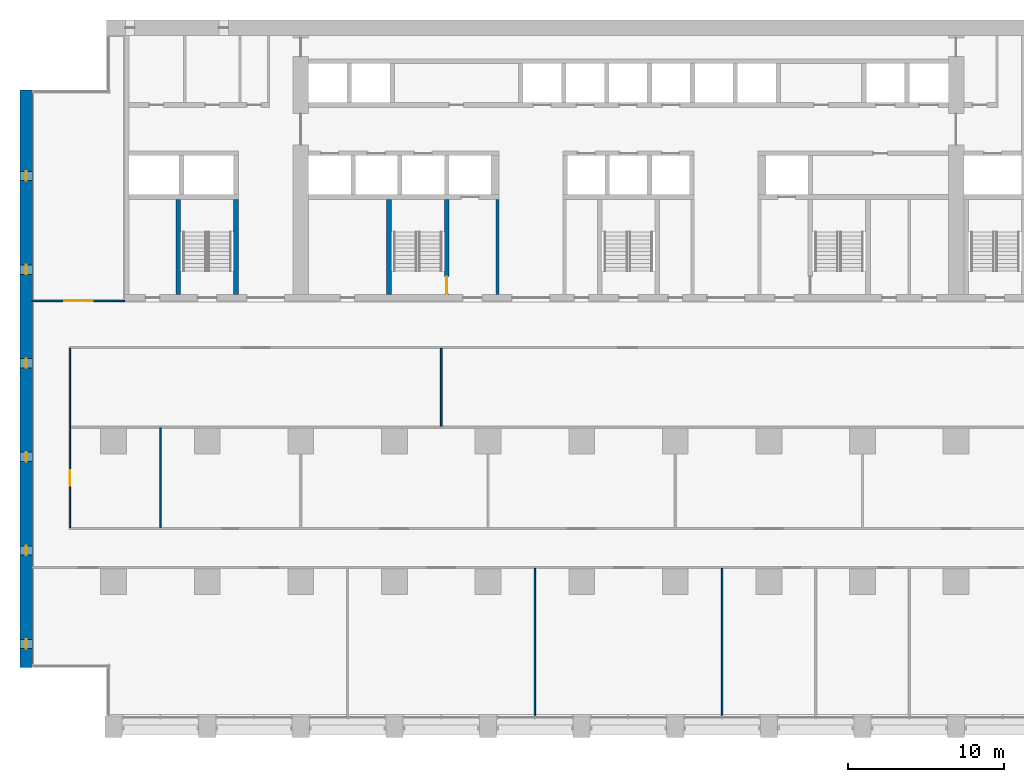
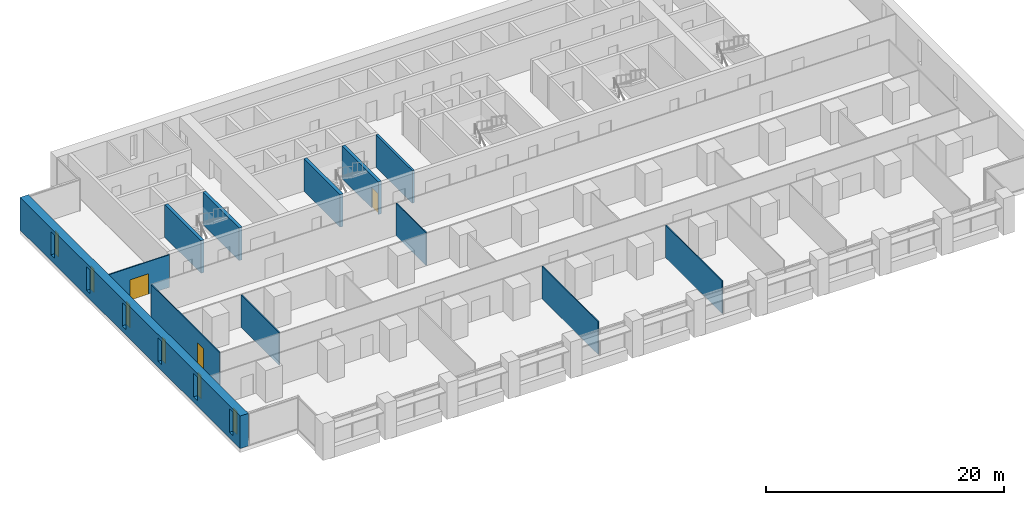
# One storey, part 8 of 18: 12 walls, 6 windows, 3 doors, 9 openings.
"""IFC4 building model written with IfcOpenShell, lengths in metres."""

from ifc_helpers import new_model, si_unit, direction, frame, frame_2d, origin, place, context, subcontext, project, spatial, rectangle, extrude, material, layer, layer_set, type_object, element, fill, save


model = new_model("IFC4")

# Units and contexts
model_context = context("Model", 3, precision=1e-05, world=origin(), true_north=direction((0.0, 1.0)))
body_context = subcontext(model_context, "Body", "Model", "MODEL_VIEW")
ifc_project = project(units=[si_unit("LENGTHUNIT", "METRE"), si_unit("AREAUNIT", "SQUARE_METRE"), si_unit("VOLUMEUNIT", "CUBIC_METRE"), si_unit("PLANEANGLEUNIT", "RADIAN"), si_unit("MASSUNIT", "GRAM", prefix="KILO")], contexts=[model_context])

# Site, building, storey
site_placement = place(None, origin())
site = spatial("IfcSite", under=ifc_project, at=site_placement, CompositionType="ELEMENT")
building_placement = place(site_placement, origin())
building = spatial("IfcBuilding", under=site, at=building_placement, Name="Calvaro Tower", CompositionType="ELEMENT")
storey_placement = place(building_placement, frame((0.0, 0.0, 60.0)))
storey = spatial("IfcBuildingStorey", under=building, at=storey_placement, Name="L14", CompositionType="ELEMENT", Elevation=60.0)

# Walls
ifc_material_1 = material(Name="Blockwork partition", Category="masonry")
ifc_layer_1 = layer(ifc_material_1, 0.199951171875)
ifc_layer_set_1 = layer_set([ifc_layer_1], Name="Blockwork partition")
wall_type_1 = type_object("IfcWallType", Name="Core partition 200 REI 120", PredefinedType="PARTITIONING", material=ifc_layer_set_1)
wall_1_placement = place(storey_placement, frame((30.60009765625, 28.39990234375, 0.0), z_axis=(0.0, 0.0, 1.0), x_axis=(0.0, 1.0, 0.0)))
element("IfcWall", 1, at=wall_1_placement, inside=storey, type_object=wall_type_1, Name="Core partition", PredefinedType="PARTITIONING", context=body_context, shape_type="SweptSolid", body=[
    extrude(rectangle(XDim=6.10009765625, YDim=0.199951171875, at=frame_2d((3.050048828125, 0.0))), origin(), (0.0, 0.0, 1.0), 3.35009765625),
])
ifc_material_2 = material(Name="Concrete C80/95", Category="concrete")
ifc_layer_2 = layer(ifc_material_2, 0.300048828125)
ifc_layer_set_2 = layer_set([ifc_layer_2], Name="Concrete C80/95")
wall_type_2 = type_object("IfcWallType", Name="Core wall C80/95 300", PredefinedType="SHEAR", material=ifc_layer_set_2)
for number, where, z_axis, x_axis, name in (
    (2, (10.14990234375, 28.39990234375, 0.0), (0.0, 0.0, 1.0), (0.0, 1.0, 0.0), "Core wall, stair enclosure"),
    (3, (13.85009765625, 28.39990234375, 0.0), (0.0, 0.0, 1.0), (0.0, 1.0, 0.0), "Core wall, stair enclosure"),
    (4, (23.64990234375, 28.39990234375, 0.0), (0.0, 0.0, 1.0), (0.0, 1.0, 0.0), "Core wall, stair enclosure"),
):
    element("IfcWall", number, at=place(storey_placement, frame(where, z_axis=z_axis, x_axis=x_axis)), inside=storey, type_object=wall_type_2, Name=name, PredefinedType="SHEAR", context=body_context, shape_type="SweptSolid", body=[
        extrude(rectangle(XDim=6.10009765625, YDim=0.300048828125, at=frame_2d((3.050048828125, 0.0))), origin(), (0.0, 0.0, 1.0), 3.35009765625),
    ])

# Wall, opening, door
wall_2_placement = place(storey_placement, frame((27.35009765625, 28.39990234375, 0.0), z_axis=(0.0, 0.0, 1.0), x_axis=(0.0, 1.0, 0.0)))
wall_2 = element("IfcWall", 5, at=wall_2_placement, inside=storey, type_object=wall_type_2, Name="Core wall, stair enclosure", PredefinedType="SHEAR", context=body_context, shape_type="SweptSolid", body=[
    extrude(rectangle(XDim=6.10009765625, YDim=0.300048828125, at=frame_2d((3.050048828125, 0.0))), origin(), (0.0, 0.0, 1.0), 3.35009765625),
])
opening_1_placement = place(wall_2_placement, frame((0.050048828125, 0.0, 0.0)))
opening_1 = element("IfcOpeningElement", 6, at=opening_1_placement, cuts=wall_2, Name="Opening FD11D", PredefinedType="OPENING", context=body_context, shape_type="SweptSolid", body=[
    extrude(rectangle(XDim=1.10009765625, YDim=2.10009765625, at=frame_2d((0.550048828125, 1.050048828125))), frame((0.0, 0.159912109375, 0.0), z_axis=(0.0, -1.0, 0.0), x_axis=(1.0, 0.0, 0.0)), (0.0, 0.0, 1.0), 0.320068359375),
])
ifc_material_3 = material(Name="Steel door set", Category="steel")
door_type_1 = type_object("IfcDoorType", Name="Fire door 1100 FD30S", OperationType="SINGLE_SWING_LEFT", PredefinedType="DOOR", material=ifc_material_3)
door_1_placement = place(opening_1_placement, origin())
door_1 = element("IfcDoor", 7, at=door_1_placement, inside=storey, type_object=door_type_1, Name="Fire door", OperationType="SINGLE_SWING_LEFT", OverallHeight=2.10009765625, OverallWidth=1.10009765625, PredefinedType="DOOR", context=body_context, shape_type="SweptSolid", body=[
    extrude(rectangle(XDim=1.10009765625, YDim=2.10009765625, at=frame_2d((0.550048828125, 1.050048828125))), frame((0.0, 0.02490234375, 0.0), z_axis=(0.0, -1.0, 0.0), x_axis=(1.0, 0.0, 0.0)), (0.0, 0.0, 1.0), 0.050048828125),
])
fill(opening_1, door_1)

# Wall, openings, windows
ifc_material_4 = material(Name="Concrete C80/95", Category="concrete")
ifc_layer_3 = layer(ifc_material_4, 0.800048828125)
ifc_layer_set_3 = layer_set([ifc_layer_3], Name="Concrete C80/95")
wall_type_3 = type_object("IfcWallType", Name="End wall 800 C80/95", PredefinedType="SHEAR", material=ifc_layer_set_3)
wall_3_placement = place(storey_placement, frame((0.39990234375, 4.5, 0.0), z_axis=(0.0, 0.0, 1.0), x_axis=(0.0, 1.0, 0.0)))
wall_3 = element("IfcWall", 8, at=wall_3_placement, inside=storey, type_object=wall_type_3, Name="End shear wall", PredefinedType="SHEAR", context=body_context, shape_type="SweptSolid", body=[
    extrude(rectangle(XDim=37.0, YDim=0.800048828125, at=frame_2d((18.5, 0.0))), origin(), (0.0, 0.0, 1.0), 3.35009765625),
])
opening_2_placement = place(wall_3_placement, frame((1.199951171875, 0.0, 0.60009765625)))
opening_2 = element("IfcOpeningElement", 9, at=opening_2_placement, cuts=wall_3, Name="Opening WW01", PredefinedType="OPENING", context=body_context, shape_type="SweptSolid", body=[
    extrude(rectangle(XDim=0.60009765625, YDim=2.39990234375, at=frame_2d((0.300048828125, 1.199951171875))), frame((0.0, 0.409912109375, 0.0), z_axis=(0.0, -1.0, 0.0), x_axis=(1.0, 0.0, 0.0)), (0.0, 0.0, 1.0), 0.820068359375),
])
opening_3_placement = place(wall_3_placement, frame((7.199951171875, 0.0, 0.60009765625)))
opening_3 = element("IfcOpeningElement", 10, at=opening_3_placement, cuts=wall_3, Name="Opening WW02", PredefinedType="OPENING", context=body_context, shape_type="SweptSolid", body=[
    extrude(rectangle(XDim=0.60009765625, YDim=2.39990234375, at=frame_2d((0.300048828125, 1.199951171875))), frame((0.0, 0.409912109375, 0.0), z_axis=(0.0, -1.0, 0.0), x_axis=(1.0, 0.0, 0.0)), (0.0, 0.0, 1.0), 0.820068359375),
])
opening_4_placement = place(wall_3_placement, frame((13.199951171875, 0.0, 0.60009765625)))
opening_4 = element("IfcOpeningElement", 11, at=opening_4_placement, cuts=wall_3, Name="Opening WW03", PredefinedType="OPENING", context=body_context, shape_type="SweptSolid", body=[
    extrude(rectangle(XDim=0.60009765625, YDim=2.39990234375, at=frame_2d((0.300048828125, 1.199951171875))), frame((0.0, 0.409912109375, 0.0), z_axis=(0.0, -1.0, 0.0), x_axis=(1.0, 0.0, 0.0)), (0.0, 0.0, 1.0), 0.820068359375),
])
opening_5_placement = place(wall_3_placement, frame((19.199951171875, 0.0, 0.60009765625)))
opening_5 = element("IfcOpeningElement", 12, at=opening_5_placement, cuts=wall_3, Name="Opening WW04", PredefinedType="OPENING", context=body_context, shape_type="SweptSolid", body=[
    extrude(rectangle(XDim=0.60009765625, YDim=2.39990234375, at=frame_2d((0.300048828125, 1.199951171875))), frame((0.0, 0.409912109375, 0.0), z_axis=(0.0, -1.0, 0.0), x_axis=(1.0, 0.0, 0.0)), (0.0, 0.0, 1.0), 0.820068359375),
])
opening_6_placement = place(wall_3_placement, frame((25.199951171875, 0.0, 0.60009765625)))
opening_6 = element("IfcOpeningElement", 13, at=opening_6_placement, cuts=wall_3, Name="Opening WW05", PredefinedType="OPENING", context=body_context, shape_type="SweptSolid", body=[
    extrude(rectangle(XDim=0.60009765625, YDim=2.39990234375, at=frame_2d((0.300048828125, 1.199951171875))), frame((0.0, 0.409912109375, 0.0), z_axis=(0.0, -1.0, 0.0), x_axis=(1.0, 0.0, 0.0)), (0.0, 0.0, 1.0), 0.820068359375),
])
opening_7_placement = place(wall_3_placement, frame((31.199951171875, 0.0, 0.60009765625)))
opening_7 = element("IfcOpeningElement", 14, at=opening_7_placement, cuts=wall_3, Name="Opening WW06", PredefinedType="OPENING", context=body_context, shape_type="SweptSolid", body=[
    extrude(rectangle(XDim=0.60009765625, YDim=2.39990234375, at=frame_2d((0.300048828125, 1.199951171875))), frame((0.0, 0.409912109375, 0.0), z_axis=(0.0, -1.0, 0.0), x_axis=(1.0, 0.0, 0.0)), (0.0, 0.0, 1.0), 0.820068359375),
])
ifc_material_5 = material(Name="Glass", Category="glass")
window_type = type_object("IfcWindowType", Name="Slit window 600 x 2400", PartitioningType="SINGLE_PANEL", PredefinedType="WINDOW", material=ifc_material_5)
window_1_placement = place(opening_2_placement, origin())
window_1 = element("IfcWindow", 15, at=window_1_placement, inside=storey, type_object=window_type, Name="Window WW01", OverallHeight=2.39990234375, OverallWidth=0.60009765625, PartitioningType="SINGLE_PANEL", PredefinedType="WINDOW", context=body_context, shape_type="SweptSolid", body=[
    extrude(rectangle(XDim=0.60009765625, YDim=2.39990234375, at=frame_2d((0.300048828125, 1.199951171875))), frame((0.0, 0.030029296875, 0.0), z_axis=(0.0, -1.0, 0.0), x_axis=(1.0, 0.0, 0.0)), (0.0, 0.0, 1.0), 0.06005859375),
])
fill(opening_2, window_1)
window_2_placement = place(opening_3_placement, origin())
window_2 = element("IfcWindow", 16, at=window_2_placement, inside=storey, type_object=window_type, Name="Window WW02", OverallHeight=2.39990234375, OverallWidth=0.60009765625, PartitioningType="SINGLE_PANEL", PredefinedType="WINDOW", context=body_context, shape_type="SweptSolid", body=[
    extrude(rectangle(XDim=0.60009765625, YDim=2.39990234375, at=frame_2d((0.300048828125, 1.199951171875))), frame((0.0, 0.030029296875, 0.0), z_axis=(0.0, -1.0, 0.0), x_axis=(1.0, 0.0, 0.0)), (0.0, 0.0, 1.0), 0.06005859375),
])
fill(opening_3, window_2)
window_3_placement = place(opening_4_placement, origin())
window_3 = element("IfcWindow", 17, at=window_3_placement, inside=storey, type_object=window_type, Name="Window WW03", OverallHeight=2.39990234375, OverallWidth=0.60009765625, PartitioningType="SINGLE_PANEL", PredefinedType="WINDOW", context=body_context, shape_type="SweptSolid", body=[
    extrude(rectangle(XDim=0.60009765625, YDim=2.39990234375, at=frame_2d((0.300048828125, 1.199951171875))), frame((0.0, 0.030029296875, 0.0), z_axis=(0.0, -1.0, 0.0), x_axis=(1.0, 0.0, 0.0)), (0.0, 0.0, 1.0), 0.06005859375),
])
fill(opening_4, window_3)
window_4_placement = place(opening_5_placement, origin())
window_4 = element("IfcWindow", 18, at=window_4_placement, inside=storey, type_object=window_type, Name="Window WW04", OverallHeight=2.39990234375, OverallWidth=0.60009765625, PartitioningType="SINGLE_PANEL", PredefinedType="WINDOW", context=body_context, shape_type="SweptSolid", body=[
    extrude(rectangle(XDim=0.60009765625, YDim=2.39990234375, at=frame_2d((0.300048828125, 1.199951171875))), frame((0.0, 0.030029296875, 0.0), z_axis=(0.0, -1.0, 0.0), x_axis=(1.0, 0.0, 0.0)), (0.0, 0.0, 1.0), 0.06005859375),
])
fill(opening_5, window_4)
window_5_placement = place(opening_6_placement, origin())
window_5 = element("IfcWindow", 19, at=window_5_placement, inside=storey, type_object=window_type, Name="Window WW05", OverallHeight=2.39990234375, OverallWidth=0.60009765625, PartitioningType="SINGLE_PANEL", PredefinedType="WINDOW", context=body_context, shape_type="SweptSolid", body=[
    extrude(rectangle(XDim=0.60009765625, YDim=2.39990234375, at=frame_2d((0.300048828125, 1.199951171875))), frame((0.0, 0.030029296875, 0.0), z_axis=(0.0, -1.0, 0.0), x_axis=(1.0, 0.0, 0.0)), (0.0, 0.0, 1.0), 0.06005859375),
])
fill(opening_6, window_5)
window_6_placement = place(opening_7_placement, origin())
window_6 = element("IfcWindow", 20, at=window_6_placement, inside=storey, type_object=window_type, Name="Window WW06", OverallHeight=2.39990234375, OverallWidth=0.60009765625, PartitioningType="SINGLE_PANEL", PredefinedType="WINDOW", context=body_context, shape_type="SweptSolid", body=[
    extrude(rectangle(XDim=0.60009765625, YDim=2.39990234375, at=frame_2d((0.300048828125, 1.199951171875))), frame((0.0, 0.030029296875, 0.0), z_axis=(0.0, -1.0, 0.0), x_axis=(1.0, 0.0, 0.0)), (0.0, 0.0, 1.0), 0.06005859375),
])
fill(opening_7, window_6)

# Wall, opening, door
ifc_material_6 = material(Name="Plasterboard on steel studs", Category="steel")
ifc_layer_4 = layer(ifc_material_6, 0.10009765625)
ifc_layer_set_4 = layer_set([ifc_layer_4], Name="Plasterboard on steel studs")
wall_type_4 = type_object("IfcWallType", Name="Partition 100", PredefinedType="PARTITIONING", material=ifc_layer_set_4)
wall_4_placement = place(storey_placement, frame((0.800048828125, 28.0, 0.0), z_axis=(0.0, 0.0, 1.0), x_axis=(1.0, 0.0, 0.0)))
wall_4 = element("IfcWall", 21, at=wall_4_placement, inside=storey, type_object=wall_type_4, Name="Partition T12.W005", PredefinedType="PARTITIONING", context=body_context, shape_type="SweptSolid", body=[
    extrude(rectangle(XDim=5.89990234375, YDim=0.10009765625, at=frame_2d((2.949951171875, 0.0))), origin(), (0.0, 0.0, 1.0), 3.35009765625),
])
opening_8_placement = place(wall_4_placement, frame((2.050048828125, 0.0, 0.0)))
opening_8 = element("IfcOpeningElement", 22, at=opening_8_placement, cuts=wall_4, Name="Opening T12.019", PredefinedType="OPENING", context=body_context, shape_type="SweptSolid", body=[
    extrude(rectangle(XDim=1.800048828125, YDim=2.10009765625, at=frame_2d((0.89990234375, 1.050048828125))), frame((0.0, 0.06005859375, 0.0), z_axis=(0.0, -1.0, 0.0), x_axis=(1.0, 0.0, 0.0)), (0.0, 0.0, 1.0), 0.1201171875),
])
ifc_material_7 = material(Name="Timber", Category="wood")
door_type_2 = type_object("IfcDoorType", Name="Internal double door 1800 x 2100", OperationType="DOUBLE_DOOR_SINGLE_SWING", PredefinedType="DOOR", material=ifc_material_7)
door_2_placement = place(opening_8_placement, origin())
door_2 = element("IfcDoor", 23, at=door_2_placement, inside=storey, type_object=door_type_2, Name="Door T12.019", OperationType="DOUBLE_DOOR_SINGLE_SWING", OverallHeight=2.10009765625, OverallWidth=1.800048828125, PredefinedType="DOOR", context=body_context, shape_type="SweptSolid", body=[
    extrude(rectangle(XDim=1.800048828125, YDim=2.10009765625, at=frame_2d((0.89990234375, 1.050048828125))), frame((0.0, 0.02490234375, 0.0), z_axis=(0.0, -1.0, 0.0), x_axis=(1.0, 0.0, 0.0)), (0.0, 0.0, 1.0), 0.050048828125),
])
fill(opening_8, door_2)

wall_5_placement = place(storey_placement, frame((3.199951171875, 13.449951171875, 0.0), z_axis=(0.0, 0.0, 1.0), x_axis=(0.0, 1.0, 0.0)))
wall_5 = element("IfcWall", 24, at=wall_5_placement, inside=storey, type_object=wall_type_4, Name="Partition T12.W007", PredefinedType="PARTITIONING", context=body_context, shape_type="SweptSolid", body=[
    extrude(rectangle(XDim=11.5, YDim=0.10009765625, at=frame_2d((5.75, 0.0))), origin(), (0.0, 0.0, 1.0), 3.35009765625),
])
opening_9_placement = place(wall_5_placement, frame((2.699951171875, 0.0, 0.0)))
opening_9 = element("IfcOpeningElement", 25, at=opening_9_placement, cuts=wall_5, Name="Opening T12.009", PredefinedType="OPENING", context=body_context, shape_type="SweptSolid", body=[
    extrude(rectangle(XDim=1.0, YDim=2.10009765625, at=frame_2d((0.5, 1.050048828125))), frame((0.0, 0.06005859375, 0.0), z_axis=(0.0, -1.0, 0.0), x_axis=(1.0, 0.0, 0.0)), (0.0, 0.0, 1.0), 0.1201171875),
])
ifc_material_8 = material(Name="Timber", Category="wood")
door_type_3 = type_object("IfcDoorType", Name="Internal single door 1000 x 2100", OperationType="SINGLE_SWING_LEFT", PredefinedType="DOOR", material=ifc_material_8)
door_3_placement = place(opening_9_placement, origin())
door_3 = element("IfcDoor", 26, at=door_3_placement, inside=storey, type_object=door_type_3, Name="Door T12.009", OperationType="SINGLE_SWING_LEFT", OverallHeight=2.10009765625, OverallWidth=1.0, PredefinedType="DOOR", context=body_context, shape_type="SweptSolid", body=[
    extrude(rectangle(XDim=1.0, YDim=2.10009765625, at=frame_2d((0.5, 1.050048828125))), frame((0.0, 0.02490234375, 0.0), z_axis=(0.0, -1.0, 0.0), x_axis=(1.0, 0.0, 0.0)), (0.0, 0.0, 1.0), 0.050048828125),
])
fill(opening_9, door_3)

# Walls
wall_6_placement = place(storey_placement, frame((9.0, 13.449951171875, 0.0), z_axis=(0.0, 0.0, 1.0), x_axis=(0.0, 1.0, 0.0)))
element("IfcWall", 27, at=wall_6_placement, inside=storey, type_object=wall_type_4, Name="Partition T12.W008", PredefinedType="PARTITIONING", context=body_context, shape_type="SweptSolid", body=[
    extrude(rectangle(XDim=6.400146484375, YDim=0.10009765625, at=frame_2d((3.2001953125, 0.0))), origin(), (0.0, 0.0, 1.0), 3.35009765625),
])
wall_7_placement = place(storey_placement, frame((27.0, 19.949951171875, 0.0), z_axis=(0.0, 0.0, 1.0), x_axis=(0.0, 1.0, 0.0)))
element("IfcWall", 28, at=wall_7_placement, inside=storey, type_object=wall_type_4, Name="Partition T12.W011", PredefinedType="PARTITIONING", context=body_context, shape_type="SweptSolid", body=[
    extrude(rectangle(XDim=5.0, YDim=0.10009765625, at=frame_2d((2.5, 0.0))), origin(), (0.0, 0.0, 1.0), 3.35009765625),
])
for number, where, z_axis, x_axis, name in (
    (29, (33.0, 1.39990234375, 0.0), (0.0, 0.0, 1.0), (0.0, 1.0, 0.0), "Partition T12.W013"),
    (30, (45.0, 1.39990234375, 0.0), (0.0, 0.0, 1.0), (0.0, 1.0, 0.0), "Partition T12.W015"),
):
    element("IfcWall", number, at=place(storey_placement, frame(where, z_axis=z_axis, x_axis=x_axis)), inside=storey, type_object=wall_type_4, Name=name, PredefinedType="PARTITIONING", context=body_context, shape_type="SweptSolid", body=[
        extrude(rectangle(XDim=9.4501953125, YDim=0.10009765625, at=frame_2d((4.72509765625, 0.0))), origin(), (0.0, 0.0, 1.0), 3.35009765625),
    ])

save(model, "model.ifc")
